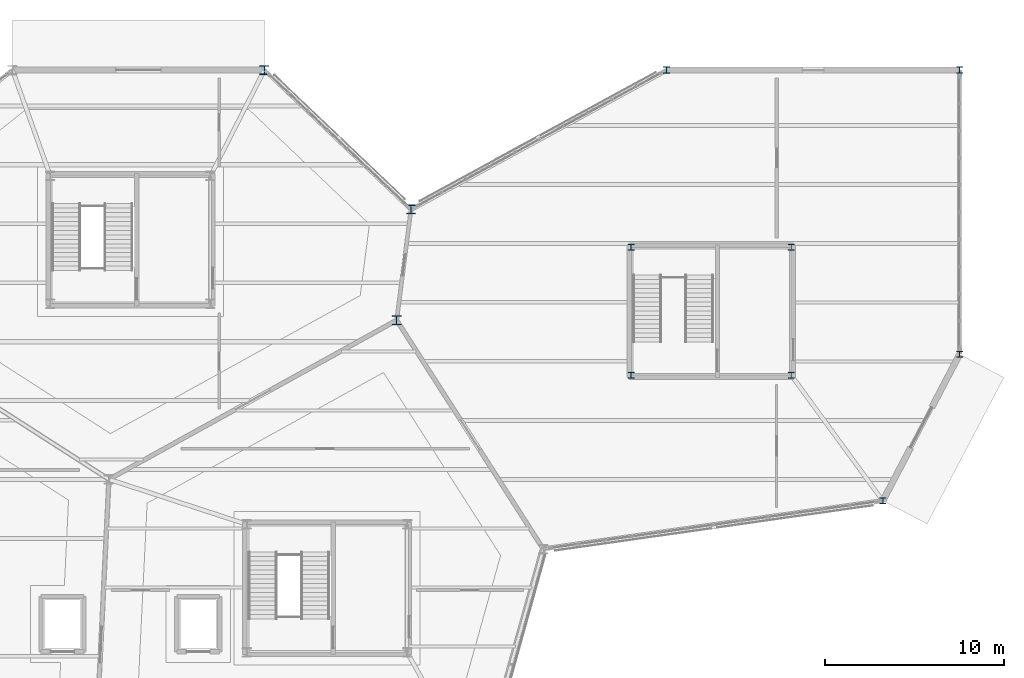
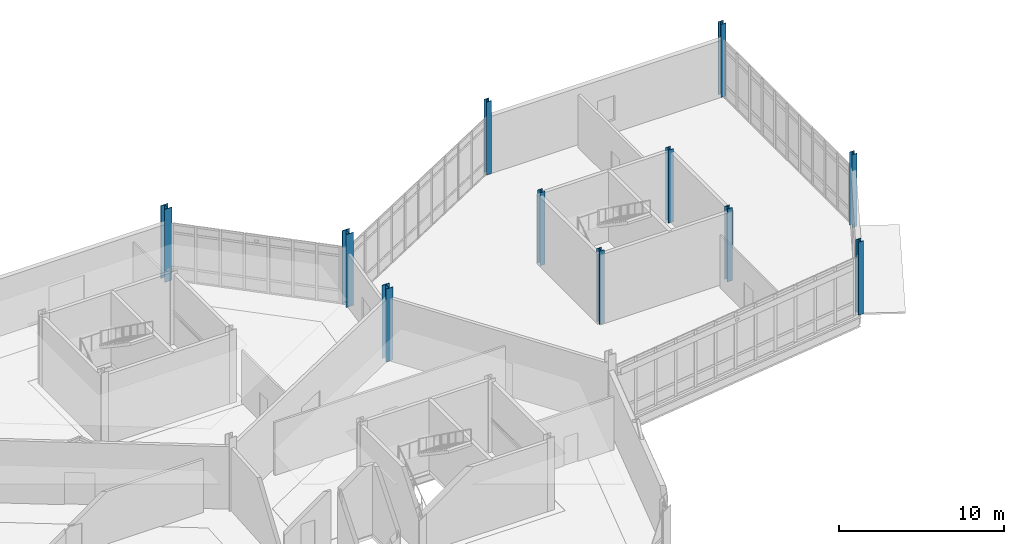
# One storey, part 21 of 113: 11 columns.
"""IFC4 building model written with IfcOpenShell, lengths in metres."""

import ifcopenshell
import ifcopenshell.guid

model = None  # the IFC model being written
_history = None  # IfcOwnerHistory: only IFC2X3 demands one
_inside = {}  # id of a spatial element -> (the spatial element, [elements in it])
_under = {}  # id of a project, library or spatial element -> (it, [spatial elements below it])
_declared = {}  # id of a project -> (the project, [libraries it declares])
_typed = {}  # id of a type object -> (the type object, [elements of that type])
_made_of = {}  # id of a material, layer set ... -> (it, [elements and type objects made of it])


def new_model(schema):
    """Start an empty IFC model of exactly this schema.

    Asked for "IFC4X3", IfcOpenShell would pick the latest addendum, in which some entities
    have other attributes; the version numbers below select the first issue.
    IFC2X3 requires an IfcOwnerHistory on every rooted entity: one is made here for all.
    """
    global model, _history
    if schema == "IFC4X3":
        model = ifcopenshell.file(schema_version=(4, 3, 0, 0))
    else:
        model = ifcopenshell.file(schema=schema)
    _inside.clear()
    _under.clear()
    _declared.clear()
    _typed.clear()
    _made_of.clear()
    _history = None
    if model.schema == "IFC2X3":
        org = make("IfcOrganization", Name="unknown")
        user = make(
            "IfcPersonAndOrganization",
            ThePerson=make("IfcPerson", FamilyName="unknown"),
            TheOrganization=org,
        )
        app = make(
            "IfcApplication",
            ApplicationDeveloper=org,
            Version="unknown",
            ApplicationFullName="unknown",
            ApplicationIdentifier="unknown",
        )
        _history = make(
            "IfcOwnerHistory",
            OwningUser=user,
            OwningApplication=app,
            ChangeAction="ADDED",
            CreationDate=0,
        )
    return model


def make(cls, **values):
    """One entity of the class cls with the attributes given. An attribute that is None is left unset."""
    return model.create_entity(
        cls, **{name: value for name, value in values.items() if value is not None}
    )


def rooted(cls, **values):
    """An entity with a GlobalId (a new one), such as an element, a storey or a relation."""
    return make(cls, GlobalId=ifcopenshell.guid.new(), OwnerHistory=_history, **values)


def si_unit(unit_type, name, prefix=None):
    """IfcSIUnit, for example si_unit("LENGTHUNIT", "METRE", prefix="MILLI")."""
    return make("IfcSIUnit", UnitType=unit_type, Prefix=prefix, Name=name)


def assignment(units):
    """IfcUnitAssignment: the units of a project."""
    return None if units is None else make("IfcUnitAssignment", Units=units)


def point(xyz):
    """IfcCartesianPoint."""
    return None if xyz is None else make("IfcCartesianPoint", Coordinates=xyz)


def direction(xyz):
    """IfcDirection."""
    return None if xyz is None else make("IfcDirection", DirectionRatios=xyz)


def frame(location, z_axis=None, x_axis=None):
    """IfcAxis2Placement3D, a coordinate frame: its origin and axes. An axis left out is left unset."""
    return make(
        "IfcAxis2Placement3D",
        Location=point(location),
        Axis=direction(z_axis),
        RefDirection=direction(x_axis),
    )


def frame_2d(location, x_axis=None):
    """IfcAxis2Placement2D, a coordinate frame in the plane: its origin and x axis."""
    return make(
        "IfcAxis2Placement2D", Location=point(location), RefDirection=direction(x_axis)
    )


def origin():
    """The frame at (0, 0, 0) with its axes left unset."""
    return frame((0.0, 0.0, 0.0))


def origin_2d():
    """The frame at (0, 0) in the plane with its x axis left unset."""
    return frame_2d((0.0, 0.0))


def place(relative_to, where):
    """IfcLocalPlacement: puts the frame where relative to a parent placement (None: the world)."""
    return make(
        "IfcLocalPlacement", PlacementRelTo=relative_to, RelativePlacement=where
    )


def context(
    kind, dimensions, precision=None, world=None, true_north=None, identifier=None
):
    """IfcGeometricRepresentationContext, for example the 3D "Model" context."""
    return make(
        "IfcGeometricRepresentationContext",
        ContextIdentifier=identifier,
        ContextType=kind,
        CoordinateSpaceDimension=dimensions,
        Precision=precision,
        WorldCoordinateSystem=world,
        TrueNorth=true_north,
    )


def subcontext(parent, identifier, kind, view, scale=None):
    """IfcGeometricRepresentationSubContext, for example "Body" below "Model"."""
    return make(
        "IfcGeometricRepresentationSubContext",
        ContextIdentifier=identifier,
        ContextType=kind,
        ParentContext=parent,
        TargetScale=scale,
        TargetView=view,
    )


def project(units=None, contexts=None):
    """IfcProject with its units and contexts."""
    return rooted(
        "IfcProject",
        Name="project",
        RepresentationContexts=contexts,
        UnitsInContext=assignment(units),
    )


def spatial(cls, under=None, at=None, **own):
    """A site, building, storey or space (cls), placed at a placement, below another one or the project."""
    s = rooted(cls, ObjectPlacement=at, **own)
    if under is not None:
        _under.setdefault(under.id(), (under, []))[1].append(s)
    return s


def profile(cls, at=None, kind="AREA", **sizes):
    """A parametric profile (cls). Its sizes go by their IFC names, for example OverallWidth=200.0."""
    return make(cls, ProfileType=kind, Position=at, **sizes)


def i_section(**sizes):
    """IfcIShapeProfileDef."""
    return profile("IfcIShapeProfileDef", **sizes)


def extrude(swept, where, along, depth):
    """IfcExtrudedAreaSolid: the profile swept, set in the frame where, extruded along a direction by depth."""
    return make(
        "IfcExtrudedAreaSolid",
        SweptArea=swept,
        Position=where,
        ExtrudedDirection=direction(along),
        Depth=depth,
    )


def shape(context_of_items, identifier, shape_type, items):
    """IfcShapeRepresentation: the items that make up one representation, for example the "Body"."""
    return make(
        "IfcShapeRepresentation",
        ContextOfItems=context_of_items,
        RepresentationIdentifier=identifier,
        RepresentationType=shape_type,
        Items=items,
    )


def material(Name=None, Category=None):
    """IfcMaterial."""
    return make("IfcMaterial", Name=Name, Category=Category)


def material_profile(
    of_material, cross_section, Name=None, Category=None, Priority=None
):
    """IfcMaterialProfile: a cross section and its material."""
    return make(
        "IfcMaterialProfile",
        Name=Name,
        Material=of_material,
        Profile=cross_section,
        Priority=Priority,
        Category=Category,
    )


def profile_set(profiles, Name=None, composite=None):
    """IfcMaterialProfileSet."""
    return make(
        "IfcMaterialProfileSet",
        Name=Name,
        MaterialProfiles=profiles,
        CompositeProfile=composite,
    )


def made_of(thing, what):
    """Note that an element or type object is made of a material, layer set ...; save() writes the relation."""
    if what is not None:
        _made_of.setdefault(what.id(), (what, []))[1].append(thing)
    return thing


def type_object(cls, material=None, **own):
    """A type object (cls), such as IfcWallType, which elements share."""
    return made_of(rooted(cls, **own), material)


def element(
    cls,
    number,
    at=None,
    inside=None,
    cuts=None,
    type_object=None,
    material=None,
    context=None,
    identifier="Body",
    shape_type=None,
    held_by="IfcProductDefinitionShape",
    body=None,
    shapes=None,
    **own,
):
    """One element of the class cls, such as IfcWall. Its Tag is "e" and its number.

    at: its placement. inside: the storey or other place that contains it. cuts: it is an
    opening in that element (IfcRelVoidsElement). A single representation is given by context,
    identifier, shape_type and body (its items); several are given by shapes. held_by: the class
    of the entity that holds the representations. save() writes the other relations.
    """
    e = rooted(cls, Tag="e%d" % number, ObjectPlacement=at, **own)
    if body is not None:
        shapes = [shape(context, identifier, shape_type, body)]
    if shapes is not None:
        e.Representation = make(held_by, Representations=shapes)
    if inside is not None:
        _inside.setdefault(inside.id(), (inside, []))[1].append(e)
    if cuts is not None:
        rooted(
            "IfcRelVoidsElement", RelatingBuildingElement=cuts, RelatedOpeningElement=e
        )
    if type_object is not None:
        _typed.setdefault(type_object.id(), (type_object, []))[1].append(e)
    return made_of(e, material)


def aggregate(whole, parts):
    """IfcRelAggregates: a whole, such as a stair, and the parts it consists of."""
    return rooted("IfcRelAggregates", RelatingObject=whole, RelatedObjects=parts)


def save(model, path):
    """Write the relations noted so far, then the file.

    IfcRelAggregates (storeys below a building ...), IfcRelContainedInSpatialStructure (elements
    in a storey), IfcRelDefinesByType, IfcRelAssociatesMaterial and IfcRelDeclares: one each for
    every whole, place, type object, material and project.
    """
    for whole, parts in _under.values():
        aggregate(whole, parts)
    for where, things in _inside.values():
        rooted(
            "IfcRelContainedInSpatialStructure",
            RelatedElements=things,
            RelatingStructure=where,
        )
    for kind, things in _typed.values():
        rooted("IfcRelDefinesByType", RelatedObjects=things, RelatingType=kind)
    for what, things in _made_of.values():
        rooted("IfcRelAssociatesMaterial", RelatedObjects=things, RelatingMaterial=what)
    for by, libraries in _declared.values():
        rooted("IfcRelDeclares", RelatingContext=by, RelatedDefinitions=libraries)
    model.write(path)


model = new_model("IFC4")

# Units and contexts
model_context = context("Model", 3, precision=1e-05, world=origin(), true_north=direction((0.0, 1.0)))
body_context = subcontext(model_context, "Body", "Model", "MODEL_VIEW")
ifc_project = project(units=[si_unit("LENGTHUNIT", "METRE"), si_unit("AREAUNIT", "SQUARE_METRE"), si_unit("VOLUMEUNIT", "CUBIC_METRE"), si_unit("PLANEANGLEUNIT", "RADIAN"), si_unit("MASSUNIT", "GRAM", prefix="KILO")], contexts=[model_context])

# Site, building, storey
site_placement = place(None, origin())
site = spatial("IfcSite", under=ifc_project, at=site_placement, CompositionType="ELEMENT")
building_placement = place(site_placement, origin())
building = spatial("IfcBuilding", under=site, at=building_placement, Name="Tameran Prism Museum", CompositionType="ELEMENT")
storey_placement = place(building_placement, origin())
storey = spatial("IfcBuildingStorey", under=building, at=storey_placement, Name="L00", CompositionType="ELEMENT", Elevation=0.0)

# Columns
ifc_material_1 = material(Name="Steel Grade 350 (350 MPa)", Category="steel")
ifc_material_profile_1 = material_profile(ifc_material_1, i_section(OverallWidth=0.35009765625, OverallDepth=0.35009765625, WebThickness=0.02001953125, FlangeThickness=0.028076171875, at=origin_2d()))
ifc_profile_set_1 = profile_set([ifc_material_profile_1])
column_type_1 = type_object("IfcColumnType", Name="COL-WC350", PredefinedType="COLUMN", material=ifc_profile_set_1)
for number, where, z_axis, x_axis, name in (
    (1, (150.0, 112.0, 0.0), (0.0, 0.0, 1.0), (1.0, 0.0, 0.0), "Column CV-63 L00"),
    (2, (162.10009765625, 87.89990234375, 0.0), (0.0, 0.0, 1.0), (1.0, 0.0, 0.0), "Column CV-67 L00"),
    (3, (166.39990234375, 96.10009765625, 0.0), (0.0, 0.0, 1.0), (1.0, 0.0, 0.0), "Column CV-71 L00"),
    (4, (166.39990234375, 112.0, 0.0), (0.0, 0.0, 1.0), (1.0, 0.0, 0.0), "Column CV-72 L00"),
    (5, (148.02001953125, 94.919921875, 0.0), (0.0, 0.0, 1.0), (1.0, 0.0, 0.0), "Column CC-11-1 L00"),
    (6, (156.97998046875, 94.919921875, 0.0), (0.0, 0.0, 1.0), (1.0, 0.0, 0.0), "Column CC-11-2 L00"),
    (7, (156.97998046875, 102.080078125, 0.0), (0.0, 0.0, 1.0), (1.0, 0.0, 0.0), "Column CC-11-3 L00"),
    (8, (148.02001953125, 102.080078125, 0.0), (0.0, 0.0, 1.0), (1.0, 0.0, 0.0), "Column CC-11-4 L00"),
):
    element("IfcColumn", number, at=place(storey_placement, frame(where, z_axis=z_axis, x_axis=x_axis)), inside=storey, type_object=column_type_1, Name=name, PredefinedType="COLUMN", context=body_context, shape_type="SweptSolid", body=[
        extrude(i_section(OverallWidth=0.35009765625, OverallDepth=0.35009765625, WebThickness=0.02001953125, FlangeThickness=0.028076171875, at=origin_2d()), origin(), (0.0, 0.0, 1.0), 5.39990234375),
    ])
ifc_material_2 = material(Name="Steel Grade 350 (350 MPa)", Category="steel")
ifc_material_profile_2 = material_profile(ifc_material_2, i_section(OverallWidth=0.5, OverallDepth=0.5, WebThickness=0.02197265625, FlangeThickness=0.035888671875, at=origin_2d()))
ifc_profile_set_2 = profile_set([ifc_material_profile_2])
column_type_2 = type_object("IfcColumnType", Name="COL-WC500", PredefinedType="COLUMN", material=ifc_profile_set_2)
for number, where, z_axis, x_axis, name in (
    (9, (127.5, 112.0, 0.0), (0.0, 0.0, 1.0), (1.0, 0.0, 0.0), "Column CV-51 L00"),
    (10, (134.89990234375, 98.0, 0.0), (0.0, 0.0, 1.0), (1.0, 0.0, 0.0), "Column CV-54 L00"),
    (11, (135.699951171875, 104.199951171875, 0.0), (0.0, 0.0, 1.0), (1.0, 0.0, 0.0), "Column CV-55 L00"),
):
    element("IfcColumn", number, at=place(storey_placement, frame(where, z_axis=z_axis, x_axis=x_axis)), inside=storey, type_object=column_type_2, Name=name, PredefinedType="COLUMN", context=body_context, shape_type="SweptSolid", body=[
        extrude(i_section(OverallWidth=0.5, OverallDepth=0.5, WebThickness=0.02197265625, FlangeThickness=0.035888671875, at=origin_2d()), origin(), (0.0, 0.0, 1.0), 5.39990234375),
    ])

save(model, "model.ifc")
